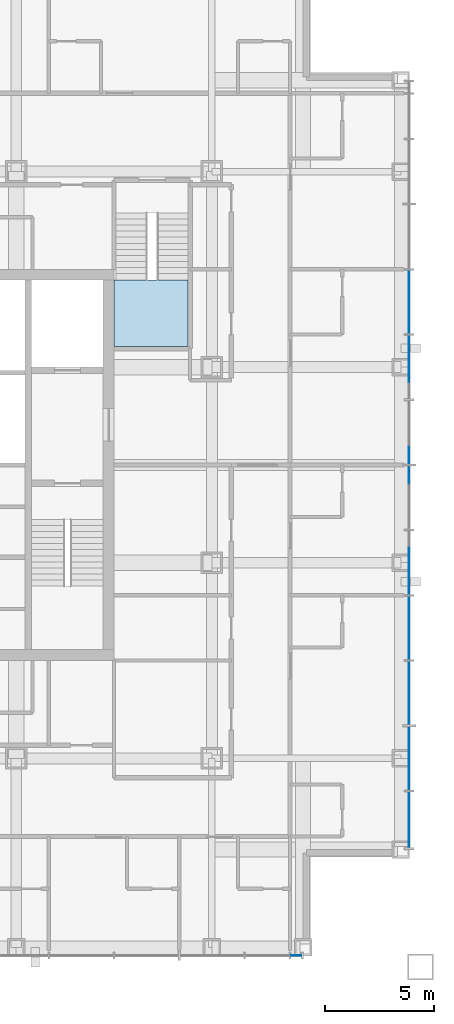
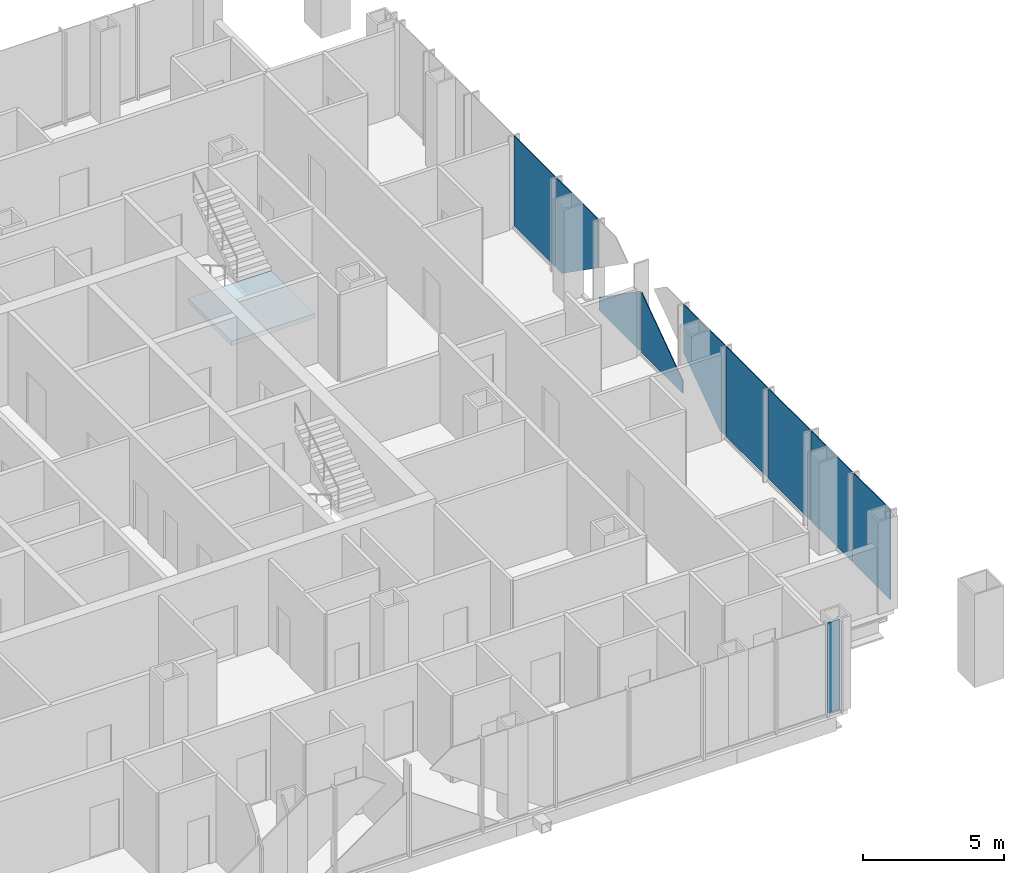
# One storey, part 9 of 17: 10 plates, 1 slab, 3 elements without a shape of their own.
"""IFC4 building model written with IfcOpenShell, lengths in metres."""

from ifc_helpers import new_model, si_unit, direction, frame, origin, origin_2d, place, context, subcontext, project, spatial, polyline, rectangle, outline, extrude, material, layer, layer_set, type_object, element, aggregate, save


model = new_model("IFC4")

# Units and contexts
model_context = context("Model", 3, precision=1e-05, world=origin(), true_north=direction((0.0, 1.0)))
body_context = subcontext(model_context, "Body", "Model", "MODEL_VIEW")
ifc_project = project(units=[si_unit("LENGTHUNIT", "METRE"), si_unit("AREAUNIT", "SQUARE_METRE"), si_unit("VOLUMEUNIT", "CUBIC_METRE"), si_unit("PLANEANGLEUNIT", "RADIAN"), si_unit("MASSUNIT", "GRAM", prefix="KILO")], contexts=[model_context])

# Site, building, storey
site_placement = place(None, origin())
site = spatial("IfcSite", under=ifc_project, at=site_placement, CompositionType="ELEMENT")
building_placement = place(site_placement, origin())
building = spatial("IfcBuilding", under=site, at=building_placement, Name="Malebo Sky Hospital", CompositionType="ELEMENT")
storey_placement = place(building_placement, frame((0.0, 0.0, 189.0)))
storey = spatial("IfcBuildingStorey", under=building, at=storey_placement, Name="L45", CompositionType="ELEMENT", Elevation=189.0)

# Stair, slab
ifc_material_1 = material(Name="Concrete C40/50", Category="concrete")
stair_type = type_object("IfcStairType", Name="HALF-TURN STAIR 1400 R167", PredefinedType="HALF_TURN_STAIR", material=ifc_material_1)
stair_placement = place(storey_placement, origin())
stair = element("IfcStair", 1, at=stair_placement, inside=storey, type_object=stair_type, Name="Stair S3 L45 type ST1B", PredefinedType="HALF_TURN_STAIR")
ifc_layer_1 = layer(ifc_material_1, 0.199951171875)
ifc_layer_set_1 = layer_set([ifc_layer_1], Name="STAIR LANDING 200")
slab_type = type_object("IfcSlabType", Name="STAIR LANDING 200", PredefinedType="LANDING", material=ifc_layer_set_1)
slab_placement = place(storey_placement, frame((0.0, 0.0, 1.800048828125)))
slab = element("IfcSlab", 2, at=slab_placement, type_object=slab_type, Name="S3 landing 2", PredefinedType="LANDING", context=body_context, shape_type="SweptSolid", body=[
    extrude(outline(polyline([(69.0, 67.449951171875), (72.39990234375, 67.449951171875), (72.39990234375, 70.52001953125), (69.0, 70.52001953125), (69.0, 67.449951171875)])), origin(), (0.0, 0.0, 1.0), 0.199951171875),
])
aggregate(stair, [slab])

# Curtain wall, plate
ifc_material_2 = material(Name="Anodised aluminium, natural silver", Category="aluminium")
ifc_layer_2 = layer(ifc_material_2, 0.25)
ifc_layer_set_2 = layer_set([ifc_layer_2], Name="WARD CURTAIN WALL NORTH AND SOUTH")
curtain_wall_type_1 = type_object("IfcCurtainWallType", Name="WARD CURTAIN WALL NORTH AND SOUTH", PredefinedType="NOTDEFINED", material=ifc_layer_set_2)
curtain_wall_1_placement = place(storey_placement, origin())
curtain_wall_1 = element("IfcCurtainWall", 3, at=curtain_wall_1_placement, inside=storey, type_object=curtain_wall_type_1, Name="NS curtain wall S", PredefinedType="NOTDEFINED")
ifc_material_3 = material(Name="Clear low-iron double glazing", Category="glass")
ifc_layer_3 = layer(ifc_material_3, 0.031982421875)
ifc_layer_set_3 = layer_set([ifc_layer_3], Name="VISION PANEL CLEAR 32")
plate_type = type_object("IfcPlateType", Name="VISION PANEL CLEAR 32", PredefinedType="CURTAIN_PANEL", material=ifc_layer_set_3)
plate_1_placement = place(storey_placement, frame((77.38134765625, 39.425048828125, 0.10009765625), z_axis=(0.0, 0.0, 1.0), x_axis=(-1.0, 0.0, 0.0)))
plate_1 = element("IfcPlate", 4, at=plate_1_placement, type_object=plate_type, Name="Panel 1", PredefinedType="CURTAIN_PANEL", context=body_context, shape_type="SweptSolid", body=[
    extrude(rectangle(XDim=0.487548828125, YDim=0.031982421875, at=origin_2d()), origin(), (0.0, 0.0, 1.0), 3.889892578125),
])
aggregate(curtain_wall_1, [plate_1])

# Curtain wall, plates
ifc_layer_4 = layer(ifc_material_2, 0.25)
ifc_layer_set_4 = layer_set([ifc_layer_4], Name="WARD CURTAIN WALL EAST AND WEST")
curtain_wall_type_2 = type_object("IfcCurtainWallType", Name="WARD CURTAIN WALL EAST AND WEST", PredefinedType="NOTDEFINED", material=ifc_layer_set_4)
curtain_wall_2_placement = place(storey_placement, origin())
curtain_wall_2 = element("IfcCurtainWall", 5, at=curtain_wall_2_placement, inside=storey, type_object=curtain_wall_type_2, Name="EW curtain wall E", PredefinedType="NOTDEFINED")
plate_2_placement = place(storey_placement, frame((82.574951171875, 69.5, 0.10009765625), z_axis=(0.0, 0.0, 1.0), x_axis=(0.0, -1.0, 0.0)))
plate_2 = element("IfcPlate", 6, at=plate_2_placement, type_object=plate_type, Name="Panel 5", PredefinedType="CURTAIN_PANEL", context=body_context, shape_type="SweptSolid", body=[
    extrude(rectangle(XDim=2.925048828125, YDim=0.031982421875, at=origin_2d()), origin(), (0.0, 0.0, 1.0), 3.889892578125),
])
plate_3_placement = place(storey_placement, frame((82.574951171875, 66.5, 0.10009765625), z_axis=(0.0, 0.0, 1.0), x_axis=(0.0, -1.0, 0.0)))
plate_3 = element("IfcPlate", 7, at=plate_3_placement, type_object=plate_type, Name="Panel 6", PredefinedType="CURTAIN_PANEL", context=body_context, shape_type="SweptSolid", body=[
    extrude(outline(polyline([(-1.46240234375, 0.0), (-1.076904296875, 0.0), (1.46240234375, 1.78369140625), (1.46240234375, 3.889892578125), (-1.46240234375, 3.889892578125), (-1.46240234375, 0.0)])), frame((0.0, 0.01611328125, 0.0), z_axis=(0.0, -1.0, 0.0), x_axis=(1.0, 0.0, 0.0)), (0.0, 0.0, 1.0), 0.031982421875),
])
plate_4_placement = place(storey_placement, frame((82.574951171875, 63.5, 0.10009765625), z_axis=(0.0, 0.0, 1.0), x_axis=(0.0, -1.0, 0.0)))
plate_4 = element("IfcPlate", 8, at=plate_4_placement, type_object=plate_type, Name="Panel 7", PredefinedType="CURTAIN_PANEL", context=body_context, shape_type="SweptSolid", body=[
    extrude(outline(polyline([(-1.46240234375, 0.0), (1.46240234375, 0.0), (1.46240234375, 2.6064453125), (-1.46240234375, 0.552001953125), (-1.46240234375, 0.0)])), frame((0.0, 0.01611328125, 0.0), z_axis=(0.0, -1.0, 0.0), x_axis=(1.0, 0.0, 0.0)), (0.0, 0.0, 1.0), 0.031982421875),
])
plate_5_placement = place(storey_placement, frame((82.574951171875, 60.5, 0.10009765625), z_axis=(0.0, 0.0, 1.0), x_axis=(0.0, -1.0, 0.0)))
plate_5 = element("IfcPlate", 9, at=plate_5_placement, type_object=plate_type, Name="Panel 8", PredefinedType="CURTAIN_PANEL", context=body_context, shape_type="SweptSolid", body=[
    extrude(outline(polyline([(-1.46240234375, 0.0), (1.46240234375, 0.0), (1.46240234375, 0.552001953125), (-1.46240234375, 2.6064453125), (-1.46240234375, 0.0)])), frame((0.0, 0.01611328125, 0.0), z_axis=(0.0, -1.0, 0.0), x_axis=(1.0, 0.0, 0.0)), (0.0, 0.0, 1.0), 0.031982421875),
])
plate_6_placement = place(storey_placement, frame((82.574951171875, 57.5, 0.10009765625), z_axis=(0.0, 0.0, 1.0), x_axis=(0.0, -1.0, 0.0)))
plate_6 = element("IfcPlate", 10, at=plate_6_placement, type_object=plate_type, Name="Panel 9", PredefinedType="CURTAIN_PANEL", context=body_context, shape_type="SweptSolid", body=[
    extrude(outline(polyline([(1.076904296875, 0.0), (1.46240234375, 0.0), (1.46240234375, 3.889892578125), (-1.46240234375, 3.889892578125), (-1.46240234375, 1.78369140625), (1.076904296875, 0.0)])), frame((0.0, 0.01611328125, 0.0), z_axis=(0.0, -1.0, 0.0), x_axis=(1.0, 0.0, 0.0)), (0.0, 0.0, 1.0), 0.031982421875),
])
plate_7_placement = place(storey_placement, frame((82.574951171875, 54.5, 0.10009765625), z_axis=(0.0, 0.0, 1.0), x_axis=(0.0, -1.0, 0.0)))
plate_7 = element("IfcPlate", 11, at=plate_7_placement, type_object=plate_type, Name="Panel 10", PredefinedType="CURTAIN_PANEL", context=body_context, shape_type="SweptSolid", body=[
    extrude(rectangle(XDim=2.925048828125, YDim=0.031982421875, at=origin_2d()), origin(), (0.0, 0.0, 1.0), 3.889892578125),
])
plate_8_placement = place(storey_placement, frame((82.574951171875, 51.5, 0.10009765625), z_axis=(0.0, 0.0, 1.0), x_axis=(0.0, -1.0, 0.0)))
plate_8 = element("IfcPlate", 12, at=plate_8_placement, type_object=plate_type, Name="Panel 11", PredefinedType="CURTAIN_PANEL", context=body_context, shape_type="SweptSolid", body=[
    extrude(rectangle(XDim=2.925048828125, YDim=0.031982421875, at=origin_2d()), origin(), (0.0, 0.0, 1.0), 3.889892578125),
])
plate_9_placement = place(storey_placement, frame((82.574951171875, 48.5, 0.10009765625), z_axis=(0.0, 0.0, 1.0), x_axis=(0.0, -1.0, 0.0)))
plate_9 = element("IfcPlate", 13, at=plate_9_placement, type_object=plate_type, Name="Panel 12", PredefinedType="CURTAIN_PANEL", context=body_context, shape_type="SweptSolid", body=[
    extrude(rectangle(XDim=2.925048828125, YDim=0.031982421875, at=origin_2d()), origin(), (0.0, 0.0, 1.0), 3.889892578125),
])
plate_10_placement = place(storey_placement, frame((82.574951171875, 45.668701171875, 0.10009765625), z_axis=(0.0, 0.0, 1.0), x_axis=(0.0, -1.0, 0.0)))
plate_10 = element("IfcPlate", 14, at=plate_10_placement, type_object=plate_type, Name="Panel 13", PredefinedType="CURTAIN_PANEL", context=body_context, shape_type="SweptSolid", body=[
    extrude(rectangle(XDim=2.58740234375, YDim=0.031982421875, at=origin_2d()), origin(), (0.0, 0.0, 1.0), 3.889892578125),
])
aggregate(curtain_wall_2, [plate_2, plate_3, plate_4, plate_5, plate_6, plate_7, plate_8, plate_9, plate_10])

save(model, "model.ifc")
